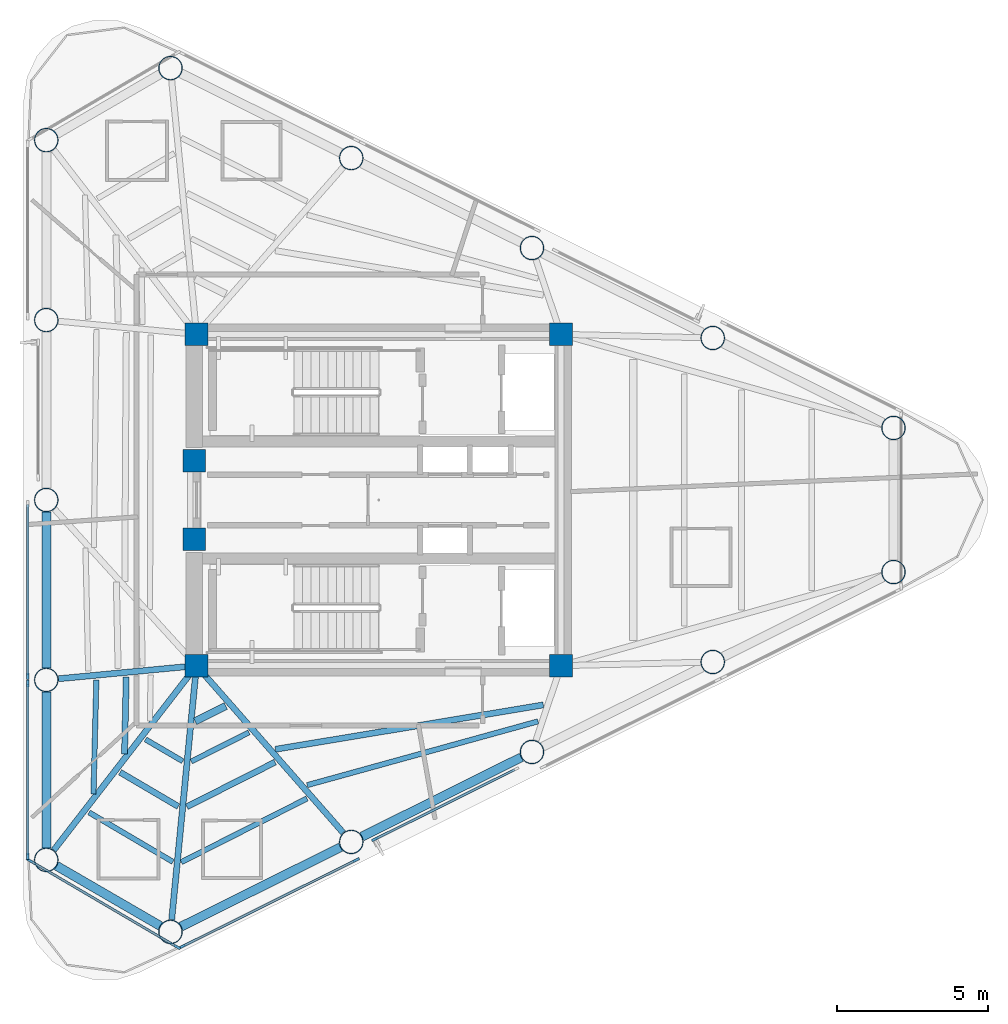
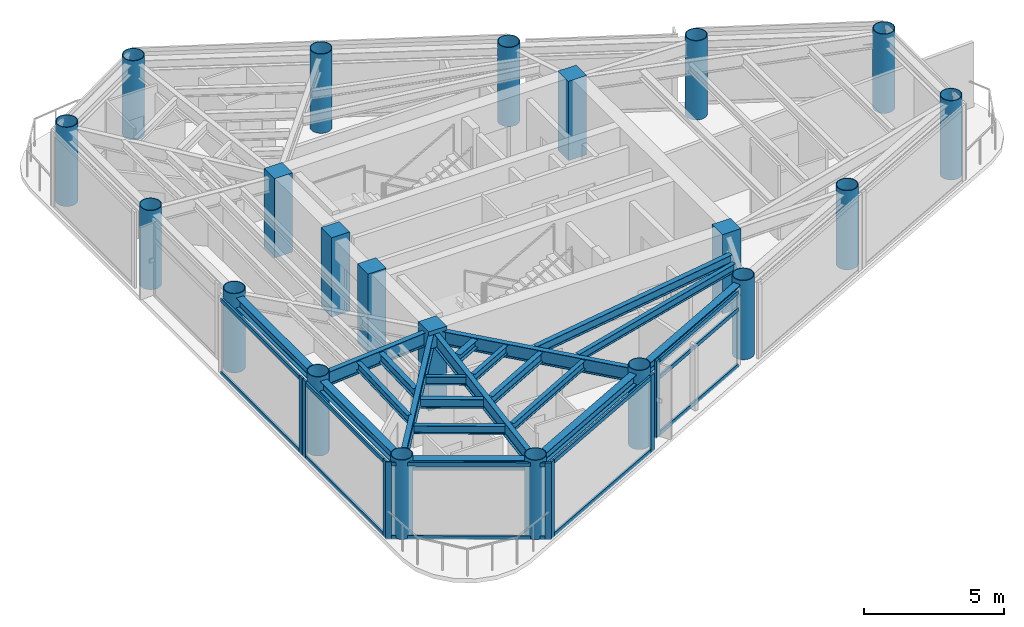
# One storey, part 1 of 10: 21 columns, 20 beams, 19 members, 5 elements without a shape of their own.
"""IFC4 building model written with IfcOpenShell, lengths in metres."""

from ifc_helpers import new_model, si_unit, direction, frame, origin, origin_2d, place, context, subcontext, project, spatial, rectangle, hollow_circle, i_section, extrude, source, transform, mapped, material, layer, layer_set, material_profile, profile_set, type_object, element, aggregate, save


model = new_model("IFC4")

# Units and contexts
model_context = context("Model", 3, precision=1e-05, world=origin(), true_north=direction((0.0, 1.0)))
body_context = subcontext(model_context, "Body", "Model", "MODEL_VIEW")
ifc_project = project(units=[si_unit("LENGTHUNIT", "METRE"), si_unit("AREAUNIT", "SQUARE_METRE"), si_unit("VOLUMEUNIT", "CUBIC_METRE"), si_unit("PLANEANGLEUNIT", "RADIAN"), si_unit("MASSUNIT", "GRAM", prefix="KILO")], contexts=[model_context])

# Site, building, storey
site_placement = place(None, origin())
site = spatial("IfcSite", under=ifc_project, at=site_placement, CompositionType="ELEMENT")
building_placement = place(site_placement, origin())
building = spatial("IfcBuilding", under=site, at=building_placement, Name="Yunling Apex Tower", CompositionType="ELEMENT")
storey_placement = place(building_placement, frame((0.0, 0.0, 307.10009765625)))
storey = spatial("IfcBuildingStorey", under=building, at=storey_placement, Name="L75", CompositionType="ELEMENT", Elevation=307.10009765625)

# Columns
ifc_material_1 = material(Name="Concrete C50", Category="concrete")
ifc_material_profile_1 = material_profile(ifc_material_1, rectangle(XDim=0.75, YDim=0.75, at=origin_2d()))
ifc_profile_set_1 = profile_set([ifc_material_profile_1], Name="Concrete C50")
column_type_1 = type_object("IfcColumnType", Name="PC-SRC-4", PredefinedType="COLUMN", material=ifc_profile_set_1)
shared_shape_1 = source(origin(), body_context, "Body", "SweptSolid", [
    extrude(rectangle(XDim=0.75, YDim=0.75, at=origin_2d()), origin(), (0.0, 0.0, 1.0), 3.449951171875),
])
for number, where, z_axis, x_axis, name in (
    (1, (-6.050048828125, -5.5, 0.0), (0.0, 0.0, 1.0), (1.0, 0.0, 0.0), "L75 Core Spine Column CC-SW"),
    (2, (6.050048828125, -5.5, 0.0), (0.0, 0.0, 1.0), (1.0, 0.0, 0.0), "L75 Core Spine Column CC-SE"),
    (3, (6.050048828125, 5.5, 0.0), (0.0, 0.0, 1.0), (1.0, 0.0, 0.0), "L75 Core Spine Column CC-NE"),
    (4, (-6.050048828125, 5.5, 0.0), (0.0, 0.0, 1.0), (1.0, 0.0, 0.0), "L75 Core Spine Column CC-NW"),
    (5, (-6.125, -1.300048828125, 0.0), (0.0, 0.0, 1.0), (1.0, 0.0, 0.0), "L75 Core West Portal Jamb Column S"),
    (6, (-6.125, 1.300048828125, 0.0), (0.0, 0.0, 1.0), (1.0, 0.0, 0.0), "L75 Core West Portal Jamb Column N"),
):
    element("IfcColumn", number, at=place(storey_placement, frame(where, z_axis=z_axis, x_axis=x_axis)), inside=storey, type_object=column_type_1, Name=name, PredefinedType="COLUMN", context=body_context, shape_type="MappedRepresentation", body=[
        mapped(shared_shape_1, transform((0.0, 0.0, 0.0), scale=1.0)),
    ])
ifc_material_2 = material(Name="Steel Q355B", Category="steel")
ifc_material_profile_2 = material_profile(ifc_material_2, hollow_circle(Radius=0.39990234375, WallThickness=0.028076171875, at=origin_2d()))
ifc_profile_set_2 = profile_set([ifc_material_profile_2], Name="Steel Q355B")
column_type_2 = type_object("IfcColumnType", Name="MC-CFST-7", PredefinedType="COLUMN", material=ifc_profile_set_2)
shared_shape_2 = source(origin(), body_context, "Body", "SweptSolid", [
    extrude(hollow_circle(Radius=0.39990234375, WallThickness=0.028076171875, at=origin_2d()), origin(), (0.0, 0.0, 1.0), 3.449951171875),
])
for number, where, z_axis, x_axis, name in (
    (7, (-6.9140625, -14.336669921875, 0.0), (0.0, 0.0, 1.0), (1.0, 0.0, 0.0), "L75 Perimeter CFST Mega-Column P01"),
    (8, (-0.913818359375, -11.350341796875, 0.0), (0.0, 0.0, 1.0), (1.0, 0.0, 0.0), "L75 Perimeter CFST Mega-Column P02"),
    (9, (5.086181640625, -8.364013671875, 0.0), (0.0, 0.0, 1.0), (1.0, 0.0, 0.0), "L75 Perimeter CFST Mega-Column P03"),
    (10, (11.08642578125, -5.377685546875, 0.0), (0.0, 0.0, 1.0), (1.0, 0.0, 0.0), "L75 Perimeter CFST Mega-Column P04"),
    (11, (17.086669921875, -2.3916015625, 0.0), (0.0, 0.0, 1.0), (1.0, 0.0, 0.0), "L75 Perimeter CFST Mega-Column P05"),
    (12, (17.086669921875, 2.3916015625, 0.0), (0.0, 0.0, 1.0), (1.0, 0.0, 0.0), "L75 Perimeter CFST Mega-Column P06"),
    (13, (11.08642578125, 5.377685546875, 0.0), (0.0, 0.0, 1.0), (1.0, 0.0, 0.0), "L75 Perimeter CFST Mega-Column P07"),
    (14, (5.086181640625, 8.364013671875, 0.0), (0.0, 0.0, 1.0), (1.0, 0.0, 0.0), "L75 Perimeter CFST Mega-Column P08"),
    (15, (-0.913818359375, 11.350341796875, 0.0), (0.0, 0.0, 1.0), (1.0, 0.0, 0.0), "L75 Perimeter CFST Mega-Column P09"),
    (16, (-6.9140625, 14.336669921875, 0.0), (0.0, 0.0, 1.0), (1.0, 0.0, 0.0), "L75 Perimeter CFST Mega-Column P10"),
    (17, (-11.037353515625, 11.9453125, 0.0), (0.0, 0.0, 1.0), (1.0, 0.0, 0.0), "L75 Perimeter CFST Mega-Column P11"),
    (18, (-11.037353515625, 5.97265625, 0.0), (0.0, 0.0, 1.0), (1.0, 0.0, 0.0), "L75 Perimeter CFST Mega-Column P12"),
    (19, (-11.037353515625, 0.0, 0.0), (0.0, 0.0, 1.0), (1.0, 0.0, 0.0), "L75 Perimeter CFST Mega-Column P13"),
    (20, (-11.037353515625, -5.97265625, 0.0), (0.0, 0.0, 1.0), (1.0, 0.0, 0.0), "L75 Perimeter CFST Mega-Column P14"),
    (21, (-11.037353515625, -11.9453125, 0.0), (0.0, 0.0, 1.0), (1.0, 0.0, 0.0), "L75 Perimeter CFST Mega-Column P15"),
):
    element("IfcColumn", number, at=place(storey_placement, frame(where, z_axis=z_axis, x_axis=x_axis)), inside=storey, type_object=column_type_2, Name=name, PredefinedType="COLUMN", context=body_context, shape_type="MappedRepresentation", body=[
        mapped(shared_shape_2, transform((0.0, 0.0, 0.0), scale=1.0)),
    ])

# Beams
ifc_material_profile_3 = material_profile(ifc_material_2, i_section(OverallWidth=0.300048828125, OverallDepth=0.43994140625, WebThickness=0.010986328125, FlangeThickness=0.01806640625, FilletRadius=0.02197265625, at=origin_2d()))
ifc_profile_set_3 = profile_set([ifc_material_profile_3], Name="Steel Q355B")
beam_type_1 = type_object("IfcBeamType", Name="BP-SPN-3", PredefinedType="SPANDREL", material=ifc_profile_set_3)
shared_shape_3 = source(origin(), body_context, "Body", "SweptSolid", [
    extrude(i_section(OverallWidth=0.300048828125, OverallDepth=0.43994140625, WebThickness=0.010986328125, FlangeThickness=0.01806640625, FilletRadius=0.02197265625, at=origin_2d()), origin(), (0.0, 0.0, 1.0), 5.914306640625),
])
for number, where, z_axis, x_axis, name in (
    (22, (-6.561279296875, -14.1611328125, 3.0498046875), (0.895243044542, 0.445578153861, 0.0), (-0.445578153861, 0.895243044542, 0.0), "L75 Perimeter Spandrel Beam 1"),
    (23, (-0.561279296875, -11.1748046875, 3.0498046875), (0.895267705164, 0.445528602999, 0.0), (-0.445528602999, 0.895267705164, 0.0), "L75 Perimeter Spandrel Beam 2"),
):
    element("IfcBeam", number, at=place(storey_placement, frame(where, z_axis=z_axis, x_axis=x_axis)), inside=storey, type_object=beam_type_1, Name=name, PredefinedType="SPANDREL", context=body_context, shape_type="MappedRepresentation", body=[
        mapped(shared_shape_3, transform((0.0, 0.0, 0.0), scale=1.0)),
    ])
shared_shape_4 = source(origin(), body_context, "Body", "SweptSolid", [
    extrude(i_section(OverallWidth=0.300048828125, OverallDepth=0.43994140625, WebThickness=0.010986328125, FlangeThickness=0.01806640625, FilletRadius=0.02197265625, at=origin_2d()), origin(), (0.0, 0.0, 1.0), 3.978515625),
])
beam_1_placement = place(storey_placement, frame((-10.696533203125, -12.142822265625, 3.0498046875), z_axis=(0.86503811344, -0.501706151343, 0.0), x_axis=(0.501706151343, 0.86503811344, 0.0)))
element("IfcBeam", 24, at=beam_1_placement, inside=storey, type_object=beam_type_1, Name="L75 Perimeter Spandrel Beam 15", PredefinedType="SPANDREL", context=body_context, shape_type="MappedRepresentation", body=[
    mapped(shared_shape_4, transform((0.0, 0.0, 0.0), scale=1.0)),
])
shared_shape_5 = source(origin(), body_context, "Body", "SweptSolid", [
    extrude(i_section(OverallWidth=0.300048828125, OverallDepth=0.43994140625, WebThickness=0.010986328125, FlangeThickness=0.01806640625, FilletRadius=0.02197265625, at=origin_2d()), origin(), (0.0, 0.0, 1.0), 5.1845703125),
])
for number, where, z_axis, x_axis, name in (
    (25, (-11.037353515625, -0.39404296875, 3.0498046875), (0.0, -1.0, 0.0), (1.0, 0.0, 0.0), "L75 Perimeter Spandrel Beam 13"),
    (26, (-11.037353515625, -6.36669921875, 3.0498046875), (0.0, -1.0, 0.0), (1.0, 0.0, 0.0), "L75 Perimeter Spandrel Beam 14"),
):
    element("IfcBeam", number, at=place(storey_placement, frame(where, z_axis=z_axis, x_axis=x_axis)), inside=storey, type_object=beam_type_1, Name=name, PredefinedType="SPANDREL", context=body_context, shape_type="MappedRepresentation", body=[
        mapped(shared_shape_5, transform((0.0, 0.0, 0.0), scale=1.0)),
    ])
ifc_material_profile_4 = material_profile(ifc_material_2, i_section(OverallWidth=0.199951171875, OverallDepth=0.60009765625, WebThickness=0.010986328125, FlangeThickness=0.01708984375, FilletRadius=0.02197265625, at=origin_2d()))
ifc_profile_set_4 = profile_set([ifc_material_profile_4], Name="Steel Q355B")
beam_type_2 = type_object("IfcBeamType", Name="BG-PRI-5", PredefinedType="USERDEFINED", material=ifc_profile_set_4)
shared_shape_6 = source(origin(), body_context, "Body", "SweptSolid", [
    extrude(i_section(OverallWidth=0.199951171875, OverallDepth=0.60009765625, WebThickness=0.010986328125, FlangeThickness=0.01708984375, FilletRadius=0.02197265625, at=origin_2d()), origin(), (0.0, 0.0, 1.0), 8.390869140625),
])
beam_2_placement = place(storey_placement, frame((-6.874267578125, -13.9306640625, 2.969970703125), z_axis=(0.097296792844, 0.995255411491, 0.0), x_axis=(-0.995255411491, 0.097296792844, 0.0)))
element("IfcBeam", 27, at=beam_2_placement, inside=storey, type_object=beam_type_2, Name="L75 Radial Primary Girder R01", ObjectType="GIRDER", PredefinedType="USERDEFINED", context=body_context, shape_type="MappedRepresentation", body=[
    mapped(shared_shape_6, transform((0.0, 0.0, 0.0), scale=1.0)),
])
shared_shape_7 = source(origin(), body_context, "Body", "SweptSolid", [
    extrude(i_section(OverallWidth=0.199951171875, OverallDepth=0.60009765625, WebThickness=0.010986328125, FlangeThickness=0.01708984375, FilletRadius=0.02197265625, at=origin_2d()), origin(), (0.0, 0.0, 1.0), 7.297119140625),
])
beam_3_placement = place(storey_placement, frame((-1.18310546875, -11.043701171875, 2.969970703125), z_axis=(-0.659747259747, 0.751487560281, 0.0), x_axis=(-0.751487560281, -0.659747259747, 0.0)))
element("IfcBeam", 28, at=beam_3_placement, inside=storey, type_object=beam_type_2, Name="L75 Radial Primary Girder R02", ObjectType="GIRDER", PredefinedType="USERDEFINED", context=body_context, shape_type="MappedRepresentation", body=[
    mapped(shared_shape_7, transform((0.0, 0.0, 0.0), scale=1.0)),
])
shared_shape_8 = source(origin(), body_context, "Body", "SweptSolid", [
    extrude(i_section(OverallWidth=0.199951171875, OverallDepth=0.60009765625, WebThickness=0.010986328125, FlangeThickness=0.01708984375, FilletRadius=0.02197265625, at=origin_2d()), origin(), (0.0, 0.0, 1.0), 7.661376953125),
])
beam_4_placement = place(storey_placement, frame((-10.78759765625, -11.62255859375, 2.969970703125), z_axis=(0.611959789037, 0.790888877531, 0.0), x_axis=(-0.790888877531, 0.611959789037, 0.0)))
element("IfcBeam", 29, at=beam_4_placement, inside=storey, type_object=beam_type_2, Name="L75 Radial Primary Girder R15", ObjectType="GIRDER", PredefinedType="USERDEFINED", context=body_context, shape_type="MappedRepresentation", body=[
    mapped(shared_shape_8, transform((0.0, 0.0, 0.0), scale=1.0)),
])
shared_shape_9 = source(origin(), body_context, "Body", "SweptSolid", [
    extrude(i_section(OverallWidth=0.199951171875, OverallDepth=0.60009765625, WebThickness=0.010986328125, FlangeThickness=0.01708984375, FilletRadius=0.02197265625, at=origin_2d()), origin(), (0.0, 0.0, 1.0), 4.521728515625),
])
beam_5_placement = place(storey_placement, frame((-10.631103515625, -5.93408203125, 2.969970703125), z_axis=(0.99554122067, 0.094327503661, 0.0), x_axis=(-0.094327503661, 0.99554122067, 0.0)))
element("IfcBeam", 30, at=beam_5_placement, inside=storey, type_object=beam_type_2, Name="L75 Radial Primary Girder R14", ObjectType="GIRDER", PredefinedType="USERDEFINED", context=body_context, shape_type="MappedRepresentation", body=[
    mapped(shared_shape_9, transform((0.0, 0.0, 0.0), scale=1.0)),
])
ifc_material_profile_5 = material_profile(ifc_material_2, i_section(OverallWidth=0.199951171875, OverallDepth=0.39990234375, WebThickness=0.008056640625, FlangeThickness=0.012939453125, FilletRadius=0.01611328125, at=origin_2d()))
ifc_profile_set_5 = profile_set([ifc_material_profile_5], Name="Steel Q355B")
beam_type_3 = type_object("IfcBeamType", Name="BS-SEC-4", PredefinedType="BEAM", material=ifc_profile_set_5)
shared_shape_10 = source(origin(), body_context, "Body", "SweptSolid", [
    extrude(i_section(OverallWidth=0.199951171875, OverallDepth=0.39990234375, WebThickness=0.008056640625, FlangeThickness=0.012939453125, FilletRadius=0.01611328125, at=origin_2d()), origin(), (0.0, 0.0, 1.0), 3.281494140625),
])
beam_6_placement = place(storey_placement, frame((-6.372314453125, -10.18408203125, 3.06982421875), z_axis=(0.892364297468, 0.451315810275, 0.0), x_axis=(-0.451315810275, 0.892364297468, 0.0)))
element("IfcBeam", 31, at=beam_6_placement, inside=storey, type_object=beam_type_3, Name="L75 Composite Floor Beam BS-1", PredefinedType="BEAM", context=body_context, shape_type="MappedRepresentation", body=[
    mapped(shared_shape_10, transform((0.0, 0.0, 0.0), scale=1.0)),
])
ifc_material_profile_6 = material_profile(ifc_material_2, i_section(OverallWidth=0.175048828125, OverallDepth=0.35009765625, WebThickness=0.007080078125, FlangeThickness=0.010986328125, FilletRadius=0.013916015625, at=origin_2d()))
ifc_profile_set_6 = profile_set([ifc_material_profile_6], Name="Steel Q355B")
beam_type_4 = type_object("IfcBeamType", Name="BJ-JST-1", PredefinedType="JOIST", material=ifc_profile_set_6)
shared_shape_11 = source(origin(), body_context, "Body", "SweptSolid", [
    extrude(i_section(OverallWidth=0.175048828125, OverallDepth=0.35009765625, WebThickness=0.007080078125, FlangeThickness=0.010986328125, FilletRadius=0.013916015625, at=origin_2d()), origin(), (0.0, 0.0, 1.0), 4.67138671875),
])
beam_7_placement = place(storey_placement, frame((-6.552001953125, -12.02099609375, 3.094970703125), z_axis=(0.892031280848, 0.45197366515, 0.0), x_axis=(-0.45197366515, 0.892031280848, 0.0)))
element("IfcBeam", 32, at=beam_7_placement, inside=storey, type_object=beam_type_4, Name="L75 Composite Floor Joist BJ1-1", PredefinedType="JOIST", context=body_context, shape_type="MappedRepresentation", body=[
    mapped(shared_shape_11, transform((0.0, 0.0, 0.0), scale=1.0)),
])
shared_shape_12 = source(origin(), body_context, "Body", "SweptSolid", [
    extrude(i_section(OverallWidth=0.175048828125, OverallDepth=0.35009765625, WebThickness=0.007080078125, FlangeThickness=0.010986328125, FilletRadius=0.013916015625, at=origin_2d()), origin(), (0.0, 0.0, 1.0), 2.143798828125),
])
beam_8_placement = place(storey_placement, frame((-6.22509765625, -8.680908203125, 3.094970703125), z_axis=(0.892941835578, 0.45017205408, 0.0), x_axis=(-0.45017205408, 0.892941835578, 0.0)))
element("IfcBeam", 33, at=beam_8_placement, inside=storey, type_object=beam_type_4, Name="L75 Composite Floor Joist BJ3-1", PredefinedType="JOIST", context=body_context, shape_type="MappedRepresentation", body=[
    mapped(shared_shape_12, transform((0.0, 0.0, 0.0), scale=1.0)),
])
ifc_material_profile_7 = material_profile(ifc_material_2, i_section(OverallWidth=0.25, OverallDepth=0.340087890625, WebThickness=0.009033203125, FlangeThickness=0.013916015625, FilletRadius=0.01806640625, at=origin_2d()))
ifc_profile_set_7 = profile_set([ifc_material_profile_7], Name="Steel Q355B")
beam_type_5 = type_object("IfcBeamType", Name="BJ-JST-2", PredefinedType="JOIST", material=ifc_profile_set_7)
shared_shape_13 = source(origin(), body_context, "Body", "SweptSolid", [
    extrude(i_section(OverallWidth=0.25, OverallDepth=0.340087890625, WebThickness=0.009033203125, FlangeThickness=0.013916015625, FilletRadius=0.01806640625, at=origin_2d()), origin(), (0.0, 0.0, 1.0), 1.1328125),
])
beam_9_placement = place(storey_placement, frame((-6.09423828125, -7.34521484375, 3.099853515625), z_axis=(0.894211562533, 0.447644592765, 0.0), x_axis=(-0.447644592765, 0.894211562533, 0.0)))
element("IfcBeam", 34, at=beam_9_placement, inside=storey, type_object=beam_type_5, Name="L75 Composite Floor Joist BJ2-1", PredefinedType="JOIST", context=body_context, shape_type="MappedRepresentation", body=[
    mapped(shared_shape_13, transform((0.0, 0.0, 0.0), scale=1.0)),
])
shared_shape_14 = source(origin(), body_context, "Body", "SweptSolid", [
    extrude(i_section(OverallWidth=0.199951171875, OverallDepth=0.39990234375, WebThickness=0.008056640625, FlangeThickness=0.012939453125, FilletRadius=0.01611328125, at=origin_2d()), origin(), (0.0, 0.0, 1.0), 9.01611328125),
])
beam_10_placement = place(storey_placement, frame((-3.432373046875, -8.27587890625, 3.06982421875), z_axis=(0.986561729833, 0.163388962996, 0.0), x_axis=(-0.163388962996, 0.986561729833, 0.0)))
element("IfcBeam", 35, at=beam_10_placement, inside=storey, type_object=beam_type_3, Name="L75 Composite Floor Beam BS-2", PredefinedType="BEAM", context=body_context, shape_type="MappedRepresentation", body=[
    mapped(shared_shape_14, transform((0.0, 0.0, 0.0), scale=1.0)),
])
shared_shape_15 = source(origin(), body_context, "Body", "SweptSolid", [
    extrude(i_section(OverallWidth=0.175048828125, OverallDepth=0.35009765625, WebThickness=0.007080078125, FlangeThickness=0.010986328125, FilletRadius=0.013916015625, at=origin_2d()), origin(), (0.0, 0.0, 1.0), 7.952392578125),
])
beam_11_placement = place(storey_placement, frame((-2.376708984375, -9.4658203125, 3.094970703125), z_axis=(0.963874198485, 0.266357897377, 0.0), x_axis=(-0.266357897377, 0.963874198485, 0.0)))
element("IfcBeam", 36, at=beam_11_placement, inside=storey, type_object=beam_type_4, Name="L75 Composite Floor Joist BJ1-2", PredefinedType="JOIST", context=body_context, shape_type="MappedRepresentation", body=[
    mapped(shared_shape_15, transform((0.0, 0.0, 0.0), scale=1.0)),
])
shared_shape_16 = source(origin(), body_context, "Body", "SweptSolid", [
    extrude(i_section(OverallWidth=0.199951171875, OverallDepth=0.39990234375, WebThickness=0.008056640625, FlangeThickness=0.012939453125, FilletRadius=0.01611328125, at=origin_2d()), origin(), (0.0, 0.0, 1.0), 2.552734375),
])
beam_12_placement = place(storey_placement, frame((-8.3837890625, -5.880859375, 3.06982421875), z_axis=(-0.021902331041, -0.999760115175, 0.0), x_axis=(0.999760115175, -0.021902331041, 0.0)))
element("IfcBeam", 37, at=beam_12_placement, inside=storey, type_object=beam_type_3, Name="L75 Composite Floor Beam BS-14", PredefinedType="BEAM", context=body_context, shape_type="MappedRepresentation", body=[
    mapped(shared_shape_16, transform((0.0, 0.0, 0.0), scale=1.0)),
])
shared_shape_17 = source(origin(), body_context, "Body", "SweptSolid", [
    extrude(i_section(OverallWidth=0.175048828125, OverallDepth=0.35009765625, WebThickness=0.007080078125, FlangeThickness=0.010986328125, FilletRadius=0.013916015625, at=origin_2d()), origin(), (0.0, 0.0, 1.0), 3.792724609375),
])
beam_13_placement = place(storey_placement, frame((-9.374755859375, -5.974609375, 3.094970703125), z_axis=(-0.02529776075, -0.999679960438, 0.0), x_axis=(0.999679960438, -0.02529776075, 0.0)))
element("IfcBeam", 38, at=beam_13_placement, inside=storey, type_object=beam_type_4, Name="L75 Composite Floor Joist BJ1-14", PredefinedType="JOIST", context=body_context, shape_type="MappedRepresentation", body=[
    mapped(shared_shape_17, transform((0.0, 0.0, 0.0), scale=1.0)),
])
shared_shape_18 = source(origin(), body_context, "Body", "SweptSolid", [
    extrude(i_section(OverallWidth=0.199951171875, OverallDepth=0.39990234375, WebThickness=0.008056640625, FlangeThickness=0.012939453125, FilletRadius=0.01611328125, at=origin_2d()), origin(), (0.0, 0.0, 1.0), 2.243408203125),
])
beam_14_placement = place(storey_placement, frame((-8.586669921875, -9.03759765625, 3.06982421875), z_axis=(0.861925822056, -0.507034394566, 0.0), x_axis=(0.507034394566, 0.861925822056, 0.0)))
element("IfcBeam", 39, at=beam_14_placement, inside=storey, type_object=beam_type_3, Name="L75 Composite Floor Beam BS-15", PredefinedType="BEAM", context=body_context, shape_type="MappedRepresentation", body=[
    mapped(shared_shape_18, transform((0.0, 0.0, 0.0), scale=1.0)),
])
shared_shape_19 = source(origin(), body_context, "Body", "SweptSolid", [
    extrude(i_section(OverallWidth=0.175048828125, OverallDepth=0.35009765625, WebThickness=0.007080078125, FlangeThickness=0.010986328125, FilletRadius=0.013916015625, at=origin_2d()), origin(), (0.0, 0.0, 1.0), 3.233642578125),
])
beam_15_placement = place(storey_placement, frame((-9.618408203125, -10.37060546875, 3.094970703125), z_axis=(0.861549665957, -0.507673293655, 0.0), x_axis=(0.507673293655, 0.861549665957, 0.0)))
element("IfcBeam", 40, at=beam_15_placement, inside=storey, type_object=beam_type_4, Name="L75 Composite Floor Joist BJ1-15", PredefinedType="JOIST", context=body_context, shape_type="MappedRepresentation", body=[
    mapped(shared_shape_19, transform((0.0, 0.0, 0.0), scale=1.0)),
])
shared_shape_20 = source(origin(), body_context, "Body", "SweptSolid", [
    extrude(i_section(OverallWidth=0.175048828125, OverallDepth=0.35009765625, WebThickness=0.007080078125, FlangeThickness=0.010986328125, FilletRadius=0.013916015625, at=origin_2d()), origin(), (0.0, 0.0, 1.0), 1.43359375),
])
beam_16_placement = place(storey_placement, frame((-7.74267578125, -7.94677734375, 3.094970703125), z_axis=(0.862559589494, -0.50595548675, 0.0), x_axis=(0.50595548675, 0.862559589494, 0.0)))
element("IfcBeam", 41, at=beam_16_placement, inside=storey, type_object=beam_type_4, Name="L75 Composite Floor Joist BJ3-15", PredefinedType="JOIST", context=body_context, shape_type="MappedRepresentation", body=[
    mapped(shared_shape_20, transform((0.0, 0.0, 0.0), scale=1.0)),
])

# Curtain wall, members
ifc_material_3 = material(Name="Bronze anodised aluminium", Category="aluminium")
ifc_layer = layer(ifc_material_3, 0.219970703125)
ifc_layer_set = layer_set([ifc_layer], Name="Bronze anodised aluminium")
curtain_wall_type = type_object("IfcCurtainWallType", Name="CW-SYS-4", PredefinedType="NOTDEFINED", material=ifc_layer_set)
curtain_wall_1_placement = place(storey_placement, origin())
curtain_wall_1 = element("IfcCurtainWall", 42, at=curtain_wall_1_placement, inside=storey, type_object=curtain_wall_type, Name="CW-L75-F1-B1", PredefinedType="NOTDEFINED")
ifc_material_profile_8 = material_profile(ifc_material_3, rectangle(XDim=0.080078125, YDim=0.219970703125, at=origin_2d()))
ifc_profile_set_8 = profile_set([ifc_material_profile_8], Name="Bronze anodised aluminium")
member_type_1 = type_object("IfcMemberType", Name="CW-MUL-4", PredefinedType="MULLION", material=ifc_profile_set_8)
shared_shape_21 = source(origin(), body_context, "Body", "SweptSolid", [
    extrude(rectangle(XDim=0.080078125, YDim=0.219970703125, at=origin_2d()), origin(), (0.0, 0.0, 1.0), 3.369873046875),
])
member_1_placement = place(storey_placement, frame((-6.534912109375, -14.829345703125, -0.050048828125), z_axis=(0.0, 0.0, 1.0), x_axis=(-0.445568135078, 0.895248030996, 0.0)))
member_1 = element("IfcMember", 43, at=member_1_placement, type_object=member_type_1, Name="CW-SYS-4 mullion 1", PredefinedType="MULLION", context=body_context, shape_type="MappedRepresentation", body=[
    mapped(shared_shape_21, transform((0.0, 0.0, 0.0), scale=1.0)),
])
member_2_placement = place(storey_placement, frame((-0.74951171875, -11.949951171875, -0.050048828125), z_axis=(0.0, 0.0, 1.0), x_axis=(-0.445568135078, 0.895248030996, 0.0)))
member_2 = element("IfcMember", 44, at=member_2_placement, type_object=member_type_1, Name="CW-SYS-4 mullion 2", PredefinedType="MULLION", context=body_context, shape_type="MappedRepresentation", body=[
    mapped(shared_shape_21, transform((0.0, 0.0, 0.0), scale=1.0)),
])

# Curtain wall, member
curtain_wall_2_placement = place(storey_placement, origin())
curtain_wall_2 = element("IfcCurtainWall", 45, at=curtain_wall_2_placement, inside=storey, type_object=curtain_wall_type, Name="CW-L75-F1-B2", PredefinedType="NOTDEFINED")
member_3_placement = place(storey_placement, frame((-0.131103515625, -11.262451171875, -0.050048828125), z_axis=(0.0, 0.0, 1.0), x_axis=(-0.445560721723, 0.895251720611, 0.0)))
member_3 = element("IfcMember", 46, at=member_3_placement, type_object=member_type_1, Name="CW-SYS-4 mullion 1", PredefinedType="MULLION", context=body_context, shape_type="MappedRepresentation", body=[
    mapped(shared_shape_21, transform((0.0, 0.0, 0.0), scale=1.0)),
])

curtain_wall_3_placement = place(storey_placement, origin())
curtain_wall_3 = element("IfcCurtainWall", 47, at=curtain_wall_3_placement, inside=storey, type_object=curtain_wall_type, Name="CW-L75-F3-B3", PredefinedType="NOTDEFINED")
member_4_placement = place(storey_placement, frame((-11.647216796875, -5.8525390625, -0.050048828125), z_axis=(0.0, 0.0, 1.0), x_axis=(1.0, 0.0, 0.0)))
member_4 = element("IfcMember", 48, at=member_4_placement, type_object=member_type_1, Name="CW-SYS-4 mullion 2", PredefinedType="MULLION", context=body_context, shape_type="MappedRepresentation", body=[
    mapped(shared_shape_21, transform((0.0, 0.0, 0.0), scale=1.0)),
])

# Curtain wall, members
curtain_wall_4_placement = place(storey_placement, origin())
curtain_wall_4 = element("IfcCurtainWall", 49, at=curtain_wall_4_placement, inside=storey, type_object=curtain_wall_type, Name="CW-L75-F3-B4", PredefinedType="NOTDEFINED")
member_5_placement = place(storey_placement, frame((-11.647216796875, -6.092529296875, -0.050048828125), z_axis=(0.0, 0.0, 1.0), x_axis=(1.0, 0.0, 0.0)))
member_5 = element("IfcMember", 50, at=member_5_placement, type_object=member_type_1, Name="CW-SYS-4 mullion 1", PredefinedType="MULLION", context=body_context, shape_type="MappedRepresentation", body=[
    mapped(shared_shape_21, transform((0.0, 0.0, 0.0), scale=1.0)),
])
member_6_placement = place(storey_placement, frame((-11.647216796875, -11.8251953125, -0.050048828125), z_axis=(0.0, 0.0, 1.0), x_axis=(1.0, 0.0, 0.0)))
member_6 = element("IfcMember", 51, at=member_6_placement, type_object=member_type_1, Name="CW-SYS-4 mullion 2", PredefinedType="MULLION", context=body_context, shape_type="MappedRepresentation", body=[
    mapped(shared_shape_21, transform((0.0, 0.0, 0.0), scale=1.0)),
])

curtain_wall_5_placement = place(storey_placement, origin())
curtain_wall_5 = element("IfcCurtainWall", 52, at=curtain_wall_5_placement, inside=storey, type_object=curtain_wall_type, Name="CW-L75-CRN3", PredefinedType="NOTDEFINED")
member_7_placement = place(storey_placement, frame((-11.5927734375, -11.96533203125, -0.050048828125), z_axis=(0.0, 0.0, 1.0), x_axis=(0.506069970256, 0.862492426173, 0.0)))
member_7 = element("IfcMember", 53, at=member_7_placement, type_object=member_type_1, Name="CW-SYS-4 mullion 1", PredefinedType="MULLION", context=body_context, shape_type="MappedRepresentation", body=[
    mapped(shared_shape_21, transform((0.0, 0.0, 0.0), scale=1.0)),
])
member_8_placement = place(storey_placement, frame((-6.685546875, -14.8447265625, -0.050048828125), z_axis=(0.0, 0.0, 1.0), x_axis=(0.506069970256, 0.862492426173, 0.0)))
member_8 = element("IfcMember", 54, at=member_8_placement, type_object=member_type_1, Name="CW-SYS-4 mullion 2", PredefinedType="MULLION", context=body_context, shape_type="MappedRepresentation", body=[
    mapped(shared_shape_21, transform((0.0, 0.0, 0.0), scale=1.0)),
])

# Member
ifc_material_profile_9 = material_profile(ifc_material_3, rectangle(XDim=0.080078125, YDim=0.169921875, at=origin_2d()))
ifc_profile_set_9 = profile_set([ifc_material_profile_9], Name="Bronze anodised aluminium")
member_type_2 = type_object("IfcMemberType", Name="CW-TRN-4", PredefinedType="USERDEFINED", material=ifc_profile_set_9)
shared_shape_22 = source(origin(), body_context, "Body", "SweptSolid", [
    extrude(rectangle(XDim=0.080078125, YDim=0.169921875, at=origin_2d()), origin(), (0.0, 0.0, 1.0), 6.39013671875),
])
member_9_placement = place(storey_placement, frame((-6.50244140625, -14.813232421875, 0.039794921875), z_axis=(0.89525092504, 0.445562320238, 0.0), x_axis=(-0.445562320238, 0.89525092504, 0.0)))
member_9 = element("IfcMember", 55, at=member_9_placement, type_object=member_type_2, Name="CW-SYS-4 transom 1.1", ObjectType="TRANSOM", PredefinedType="USERDEFINED", context=body_context, shape_type="MappedRepresentation", body=[
    mapped(shared_shape_22, transform((0.0, 0.0, 0.0), scale=1.0)),
])

member_10_placement = place(storey_placement, frame((-6.50244140625, -14.813232421875, 3.22998046875), z_axis=(0.89525092504, 0.445562320238, 0.0), x_axis=(-0.445562320238, 0.89525092504, 0.0)))
member_10 = element("IfcMember", 56, at=member_10_placement, type_object=member_type_2, Name="CW-SYS-4 transom 1.2", ObjectType="TRANSOM", PredefinedType="USERDEFINED", context=body_context, shape_type="MappedRepresentation", body=[
    mapped(shared_shape_22, transform((0.0, 0.0, 0.0), scale=1.0)),
])

aggregate(curtain_wall_1, [member_1, member_2, member_9, member_10])

shared_shape_23 = source(origin(), body_context, "Body", "SweptSolid", [
    extrude(rectangle(XDim=0.080078125, YDim=0.169921875, at=origin_2d()), origin(), (0.0, 0.0, 1.0), 5.150390625),
])
member_11_placement = place(storey_placement, frame((-0.098876953125, -11.246337890625, 0.039794921875), z_axis=(0.895259933779, 0.445544218871, 0.0), x_axis=(-0.445544218871, 0.895259933779, 0.0)))
member_11 = element("IfcMember", 57, at=member_11_placement, type_object=member_type_2, Name="CW-SYS-4 transom 1.1", ObjectType="TRANSOM", PredefinedType="USERDEFINED", context=body_context, shape_type="MappedRepresentation", body=[
    mapped(shared_shape_23, transform((0.0, 0.0, 0.0), scale=1.0)),
])

member_12_placement = place(storey_placement, frame((-0.098876953125, -11.246337890625, 2.485107421875), z_axis=(0.895259933779, 0.445544218871, 0.0), x_axis=(-0.445544218871, 0.895259933779, 0.0)))
member_12 = element("IfcMember", 58, at=member_12_placement, type_object=member_type_2, Name="CW-SYS-4 transom 1.2", ObjectType="TRANSOM", PredefinedType="USERDEFINED", context=body_context, shape_type="MappedRepresentation", body=[
    mapped(shared_shape_23, transform((0.0, 0.0, 0.0), scale=1.0)),
])

member_13_placement = place(storey_placement, frame((-0.098876953125, -11.246337890625, 3.22998046875), z_axis=(0.895259933779, 0.445544218871, 0.0), x_axis=(-0.445544218871, 0.895259933779, 0.0)))
member_13 = element("IfcMember", 59, at=member_13_placement, type_object=member_type_2, Name="CW-SYS-4 transom 1.3", ObjectType="TRANSOM", PredefinedType="USERDEFINED", context=body_context, shape_type="MappedRepresentation", body=[
    mapped(shared_shape_23, transform((0.0, 0.0, 0.0), scale=1.0)),
])

aggregate(curtain_wall_2, [member_3, member_11, member_12, member_13])

shared_shape_24 = source(origin(), body_context, "Body", "SweptSolid", [
    extrude(rectangle(XDim=0.080078125, YDim=0.169921875, at=origin_2d()), origin(), (0.0, 0.0, 1.0), 5.61767578125),
])
member_14_placement = place(storey_placement, frame((-11.561767578125, -11.983642578125, 0.039794921875), z_axis=(0.862486715055, -0.506079703558, 0.0), x_axis=(0.506079703558, 0.862486715055, 0.0)))
member_14 = element("IfcMember", 60, at=member_14_placement, type_object=member_type_2, Name="CW-SYS-4 transom 1.1", ObjectType="TRANSOM", PredefinedType="USERDEFINED", context=body_context, shape_type="MappedRepresentation", body=[
    mapped(shared_shape_24, transform((0.0, 0.0, 0.0), scale=1.0)),
])

member_15_placement = place(storey_placement, frame((-11.561767578125, -11.983642578125, 3.22998046875), z_axis=(0.862486715055, -0.506079703558, 0.0), x_axis=(0.506079703558, 0.862486715055, 0.0)))
member_15 = element("IfcMember", 61, at=member_15_placement, type_object=member_type_2, Name="CW-SYS-4 transom 1.2", ObjectType="TRANSOM", PredefinedType="USERDEFINED", context=body_context, shape_type="MappedRepresentation", body=[
    mapped(shared_shape_24, transform((0.0, 0.0, 0.0), scale=1.0)),
])

aggregate(curtain_wall_5, [member_7, member_8, member_14, member_15])

shared_shape_25 = source(origin(), body_context, "Body", "SweptSolid", [
    extrude(rectangle(XDim=0.080078125, YDim=0.169921875, at=origin_2d()), origin(), (0.0, 0.0, 1.0), 5.66064453125),
])
member_16_placement = place(storey_placement, frame((-11.647216796875, -0.156005859375, 0.039794921875), z_axis=(0.0, -1.0, 0.0), x_axis=(1.0, 0.0, 0.0)))
member_16 = element("IfcMember", 62, at=member_16_placement, type_object=member_type_2, Name="CW-SYS-4 transom 1.1", ObjectType="TRANSOM", PredefinedType="USERDEFINED", context=body_context, shape_type="MappedRepresentation", body=[
    mapped(shared_shape_25, transform((0.0, 0.0, 0.0), scale=1.0)),
])

member_17_placement = place(storey_placement, frame((-11.647216796875, -0.156005859375, 3.22998046875), z_axis=(0.0, -1.0, 0.0), x_axis=(1.0, 0.0, 0.0)))
member_17 = element("IfcMember", 63, at=member_17_placement, type_object=member_type_2, Name="CW-SYS-4 transom 1.2", ObjectType="TRANSOM", PredefinedType="USERDEFINED", context=body_context, shape_type="MappedRepresentation", body=[
    mapped(shared_shape_25, transform((0.0, 0.0, 0.0), scale=1.0)),
])

aggregate(curtain_wall_3, [member_4, member_16, member_17])

member_18_placement = place(storey_placement, frame((-11.647216796875, -6.128662109375, 0.039794921875), z_axis=(0.0, -1.0, 0.0), x_axis=(1.0, 0.0, 0.0)))
member_18 = element("IfcMember", 64, at=member_18_placement, type_object=member_type_2, Name="CW-SYS-4 transom 1.1", ObjectType="TRANSOM", PredefinedType="USERDEFINED", context=body_context, shape_type="MappedRepresentation", body=[
    mapped(shared_shape_25, transform((0.0, 0.0, 0.0), scale=1.0)),
])

member_19_placement = place(storey_placement, frame((-11.647216796875, -6.128662109375, 3.22998046875), z_axis=(0.0, -1.0, 0.0), x_axis=(1.0, 0.0, 0.0)))
member_19 = element("IfcMember", 65, at=member_19_placement, type_object=member_type_2, Name="CW-SYS-4 transom 1.2", ObjectType="TRANSOM", PredefinedType="USERDEFINED", context=body_context, shape_type="MappedRepresentation", body=[
    mapped(shared_shape_25, transform((0.0, 0.0, 0.0), scale=1.0)),
])

aggregate(curtain_wall_4, [member_5, member_6, member_18, member_19])

save(model, "model.ifc")
